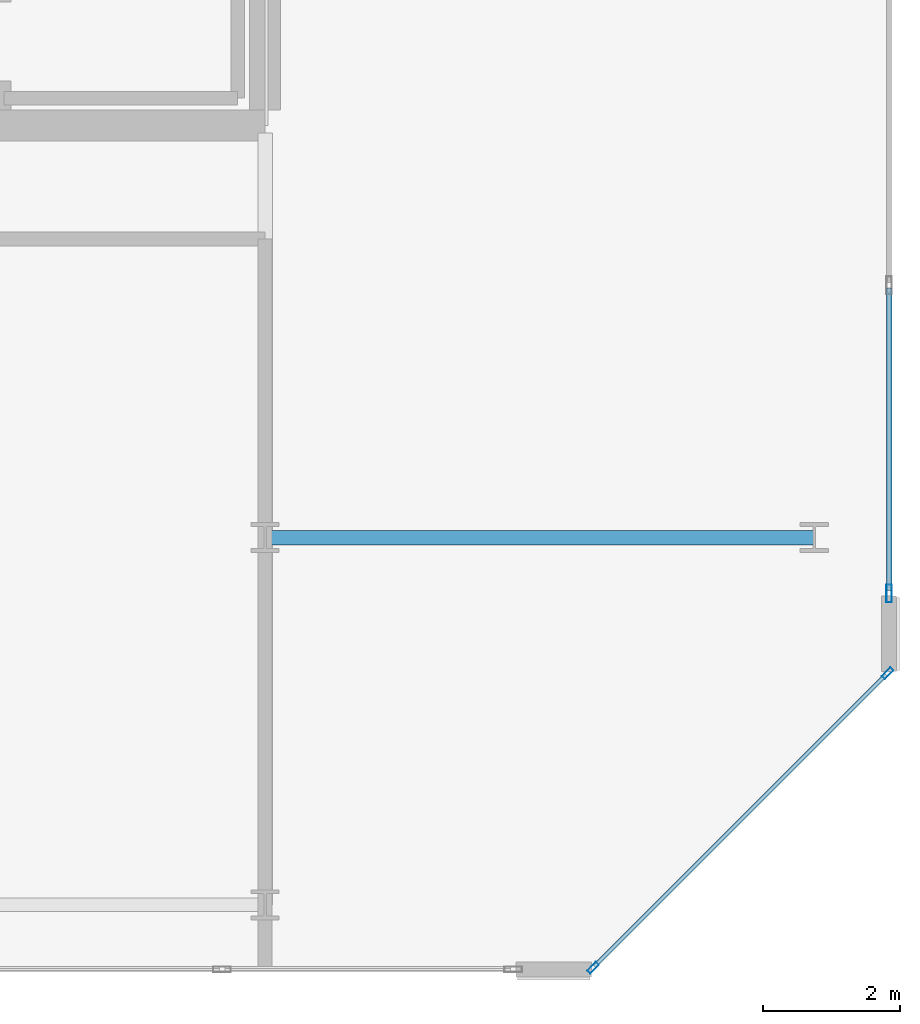
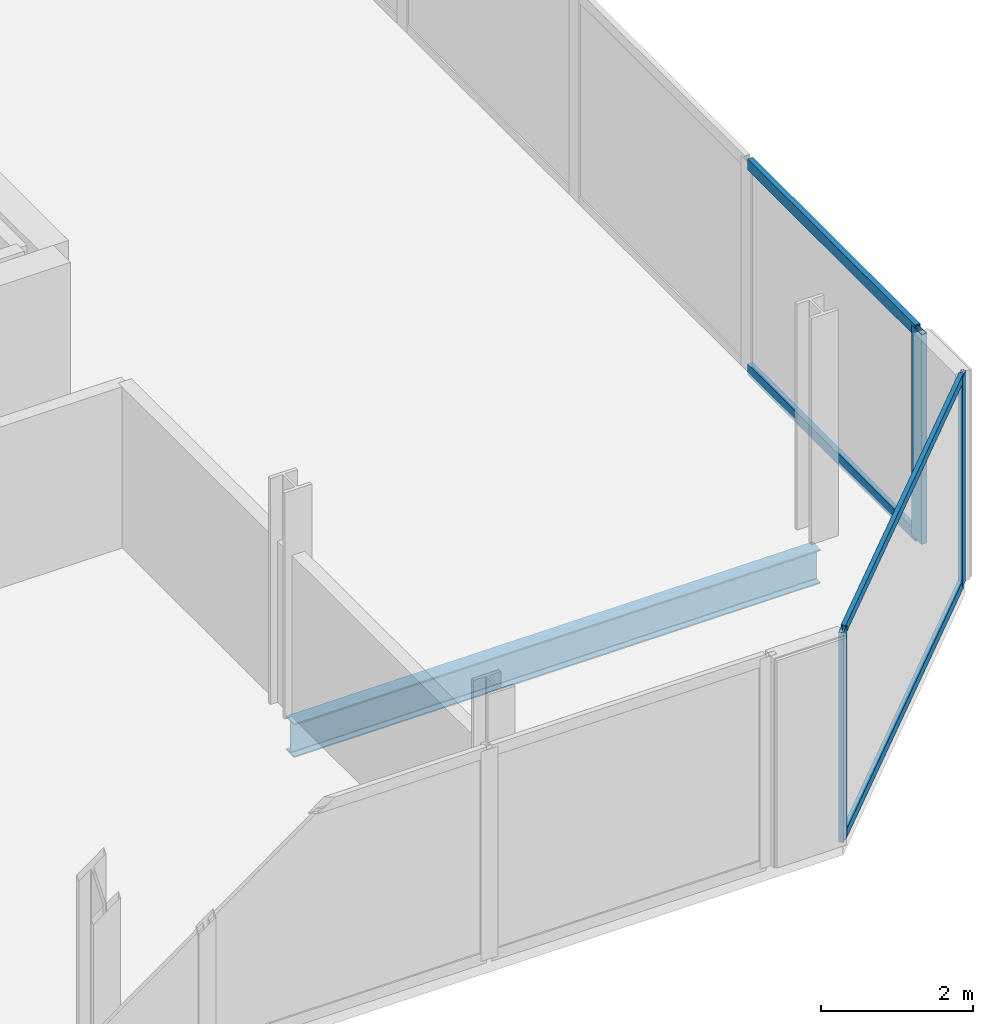
# One storey, part 7 of 16: 7 members, 1 beam, 2 elements without a shape of their own.
"""IFC4 building model written with IfcOpenShell, lengths in metres."""

from ifc_helpers import new_model, si_unit, direction, frame, origin, origin_2d, place, context, subcontext, project, spatial, hollow_rectangle, i_section, extrude, material, layer, layer_set, material_profile, profile_set, type_object, element, aggregate, save


model = new_model("IFC4")

# Units and contexts
model_context = context("Model", 3, precision=1e-05, world=origin(), true_north=direction((0.0, 1.0)))
body_context = subcontext(model_context, "Body", "Model", "MODEL_VIEW")
ifc_project = project(units=[si_unit("LENGTHUNIT", "METRE"), si_unit("AREAUNIT", "SQUARE_METRE"), si_unit("VOLUMEUNIT", "CUBIC_METRE"), si_unit("PLANEANGLEUNIT", "RADIAN"), si_unit("MASSUNIT", "GRAM", prefix="KILO")], contexts=[model_context])

# Site, building, storey
site_placement = place(None, origin())
site = spatial("IfcSite", under=ifc_project, at=site_placement, CompositionType="ELEMENT")
building_placement = place(site_placement, origin())
building = spatial("IfcBuilding", under=site, at=building_placement, Name="Tanjung Sevakor Pilgrim Tower", CompositionType="ELEMENT")
storey_placement = place(building_placement, frame((0.0, 0.0, 275.219970703125)))
storey = spatial("IfcBuildingStorey", under=building, at=storey_placement, Name="L77", CompositionType="ELEMENT", Elevation=275.219970703125)

# Beam
ifc_material_1 = material(Name="Steel S355J2", Category="steel")
ifc_material_profile_1 = material_profile(ifc_material_1, i_section(OverallWidth=0.2119140625, OverallDepth=0.54443359375, WebThickness=0.0126953125, FlangeThickness=0.021240234375, FilletRadius=0.0126953125, at=origin_2d()))
ifc_profile_set_1 = profile_set([ifc_material_profile_1], Name="Steel S355J2")
beam_type = type_object("IfcBeamType", Name="BM-B-G5-UB_533x210x122", PredefinedType="BEAM", material=ifc_profile_set_1)
beam_placement = place(storey_placement, frame((90.0, 18.60009765625, -0.4921875), z_axis=(1.0, 0.0, 0.0), x_axis=(0.0, 1.0, 0.0)))
element("IfcBeam", 1, at=beam_placement, inside=storey, type_object=beam_type, Name="L77 East Peak Wing Girder Y18.6", PredefinedType="BEAM", context=body_context, shape_type="SweptSolid", body=[
    extrude(i_section(OverallWidth=0.2119140625, OverallDepth=0.54443359375, WebThickness=0.0126953125, FlangeThickness=0.021240234375, FilletRadius=0.0126953125, at=origin_2d()), origin(), (0.0, 0.0, 1.0), 8.0),
])

# Curtain wall, members
ifc_material_2 = material(Name="Aluminium 6063-T6 and Low-E Glass", Category="aluminium")
ifc_layer_1 = layer(ifc_material_2, 0.179931640625)
ifc_layer_set_1 = layer_set([ifc_layer_1], Name="CW-SYS-CHAM")
curtain_wall_type_1 = type_object("IfcCurtainWallType", Name="CW-SYS-CHAM", PredefinedType="NOTDEFINED", material=ifc_layer_set_1)
curtain_wall_1_placement = place(storey_placement, origin())
curtain_wall_1 = element("IfcCurtainWall", 2, at=curtain_wall_1_placement, inside=storey, type_object=curtain_wall_type_1, Name="L77 Curtain Wall CW-CHM-L77-EAST-1", PredefinedType="NOTDEFINED")
ifc_material_3 = material(Name="Aluminium 6063-T6", Category="aluminium")
ifc_material_profile_2 = material_profile(ifc_material_3, hollow_rectangle(XDim=0.06494140625, YDim=0.179931640625, WallThickness=0.00390625, at=origin_2d()))
ifc_profile_set_2 = profile_set([ifc_material_profile_2], Name="Aluminium 6063-T6")
member_type_1 = type_object("IfcMemberType", Name="TYPE-CWM-1", PredefinedType="MULLION", material=ifc_profile_set_2)
member_1_placement = place(storey_placement, frame((94.77734375, 12.3330078125, 0.0), z_axis=(0.0, 0.0, 1.0), x_axis=(-0.707106781187, 0.707106781187, 0.0)))
member_1 = element("IfcMember", 3, at=member_1_placement, type_object=member_type_1, Name="CW-CHM mullion 1", PredefinedType="MULLION", context=body_context, shape_type="SweptSolid", body=[
    extrude(hollow_rectangle(XDim=0.06494140625, YDim=0.179931640625, WallThickness=0.00390625, at=origin_2d()), origin(), (0.0, 0.0, 1.0), 3.3701171875),
])
member_2_placement = place(storey_placement, frame((99.067138671875, 16.62255859375, 0.0), z_axis=(0.0, 0.0, 1.0), x_axis=(-0.707106781187, 0.707106781187, 0.0)))
member_2 = element("IfcMember", 4, at=member_2_placement, type_object=member_type_1, Name="CW-CHM mullion 2", PredefinedType="MULLION", context=body_context, shape_type="SweptSolid", body=[
    extrude(hollow_rectangle(XDim=0.06494140625, YDim=0.179931640625, WallThickness=0.00390625, at=origin_2d()), origin(), (0.0, 0.0, 1.0), 3.3701171875),
])

# Curtain wall, member
ifc_material_4 = material(Name="Aluminium 6063-T6 and Low-E Glass", Category="aluminium")
ifc_layer_2 = layer(ifc_material_4, 0.219970703125)
ifc_layer_set_2 = layer_set([ifc_layer_2], Name="CW-SYS-CRNE")
curtain_wall_type_2 = type_object("IfcCurtainWallType", Name="CW-SYS-CRNE", PredefinedType="NOTDEFINED", material=ifc_layer_set_2)
curtain_wall_2_placement = place(storey_placement, origin())
curtain_wall_2 = element("IfcCurtainWall", 5, at=curtain_wall_2_placement, inside=storey, type_object=curtain_wall_type_2, Name="L77 Curtain Wall CW-CRN-L77-EAST-2-1", PredefinedType="NOTDEFINED")
ifc_material_5 = material(Name="Aluminium 6063-T6", Category="aluminium")
ifc_material_profile_3 = material_profile(ifc_material_5, hollow_rectangle(XDim=0.080078125, YDim=0.260009765625, WallThickness=0.0048828125, at=origin_2d()))
ifc_profile_set_3 = profile_set([ifc_material_profile_3], Name="Aluminium 6063-T6")
member_type_2 = type_object("IfcMemberType", Name="TYPE-CWM-3", PredefinedType="MULLION", material=ifc_profile_set_3)
member_3_placement = place(storey_placement, frame((99.090087890625, 17.78564453125, 0.0), z_axis=(0.0, 0.0, 1.0), x_axis=(-1.0, 0.0, 0.0)))
member_3 = element("IfcMember", 6, at=member_3_placement, type_object=member_type_2, Name="CW-CRE mullion 1", PredefinedType="MULLION", context=body_context, shape_type="SweptSolid", body=[
    extrude(hollow_rectangle(XDim=0.080078125, YDim=0.260009765625, WallThickness=0.0048828125, at=origin_2d()), origin(), (0.0, 0.0, 1.0), 3.3701171875),
])

# Member
ifc_material_6 = material(Name="Aluminium 6063-T6", Category="aluminium")
ifc_material_profile_4 = material_profile(ifc_material_6, hollow_rectangle(XDim=0.06494140625, YDim=0.139892578125, WallThickness=0.00390625, at=origin_2d()))
ifc_profile_set_4 = profile_set([ifc_material_profile_4], Name="Aluminium 6063-T6")
member_type_3 = type_object("IfcMemberType", Name="TYPE-CWT-1", PredefinedType="USERDEFINED", material=ifc_profile_set_4)
member_4_placement = place(storey_placement, frame((94.80029296875, 12.35595703125, 0.032470703125), z_axis=(0.707106781187, 0.707106781187, 0.0), x_axis=(-0.707106781187, 0.707106781187, 0.0)))
member_4 = element("IfcMember", 7, at=member_4_placement, type_object=member_type_3, Name="CW-CHM transom 1.1", ObjectType="TRANSOM", PredefinedType="USERDEFINED", context=body_context, shape_type="SweptSolid", body=[
    extrude(hollow_rectangle(XDim=0.06494140625, YDim=0.139892578125, WallThickness=0.00390625, at=origin_2d()), origin(), (0.0, 0.0, 1.0), 6.00146484375),
])

member_5_placement = place(storey_placement, frame((94.80029296875, 12.35595703125, 3.337646484375), z_axis=(0.707106781187, 0.707106781187, 0.0), x_axis=(-0.707106781187, 0.707106781187, 0.0)))
member_5 = element("IfcMember", 8, at=member_5_placement, type_object=member_type_3, Name="CW-CHM transom 1.2", ObjectType="TRANSOM", PredefinedType="USERDEFINED", context=body_context, shape_type="SweptSolid", body=[
    extrude(hollow_rectangle(XDim=0.06494140625, YDim=0.139892578125, WallThickness=0.00390625, at=origin_2d()), origin(), (0.0, 0.0, 1.0), 6.00146484375),
])

aggregate(curtain_wall_1, [member_1, member_2, member_4, member_5])

ifc_material_7 = material(Name="Aluminium 6063-T6", Category="aluminium")
ifc_material_profile_5 = material_profile(ifc_material_7, hollow_rectangle(XDim=0.080078125, YDim=0.179931640625, WallThickness=0.0048828125, at=origin_2d()))
ifc_profile_set_5 = profile_set([ifc_material_profile_5], Name="Aluminium 6063-T6")
member_type_4 = type_object("IfcMemberType", Name="TYPE-CWT-3", PredefinedType="USERDEFINED", material=ifc_profile_set_5)
member_6_placement = place(storey_placement, frame((99.090087890625, 17.82568359375, 0.0400390625), z_axis=(0.0, 1.0, 0.0), x_axis=(-1.0, 0.0, 0.0)))
member_6 = element("IfcMember", 9, at=member_6_placement, type_object=member_type_4, Name="CW-CRE transom 1.1", ObjectType="TRANSOM", PredefinedType="USERDEFINED", context=body_context, shape_type="SweptSolid", body=[
    extrude(hollow_rectangle(XDim=0.080078125, YDim=0.179931640625, WallThickness=0.0048828125, at=origin_2d()), origin(), (0.0, 0.0, 1.0), 4.40966796875),
])

member_7_placement = place(storey_placement, frame((99.090087890625, 17.82568359375, 3.330078125), z_axis=(0.0, 1.0, 0.0), x_axis=(-1.0, 0.0, 0.0)))
member_7 = element("IfcMember", 10, at=member_7_placement, type_object=member_type_4, Name="CW-CRE transom 1.2", ObjectType="TRANSOM", PredefinedType="USERDEFINED", context=body_context, shape_type="SweptSolid", body=[
    extrude(hollow_rectangle(XDim=0.080078125, YDim=0.179931640625, WallThickness=0.0048828125, at=origin_2d()), origin(), (0.0, 0.0, 1.0), 4.40966796875),
])

aggregate(curtain_wall_2, [member_3, member_6, member_7])

save(model, "model.ifc")
